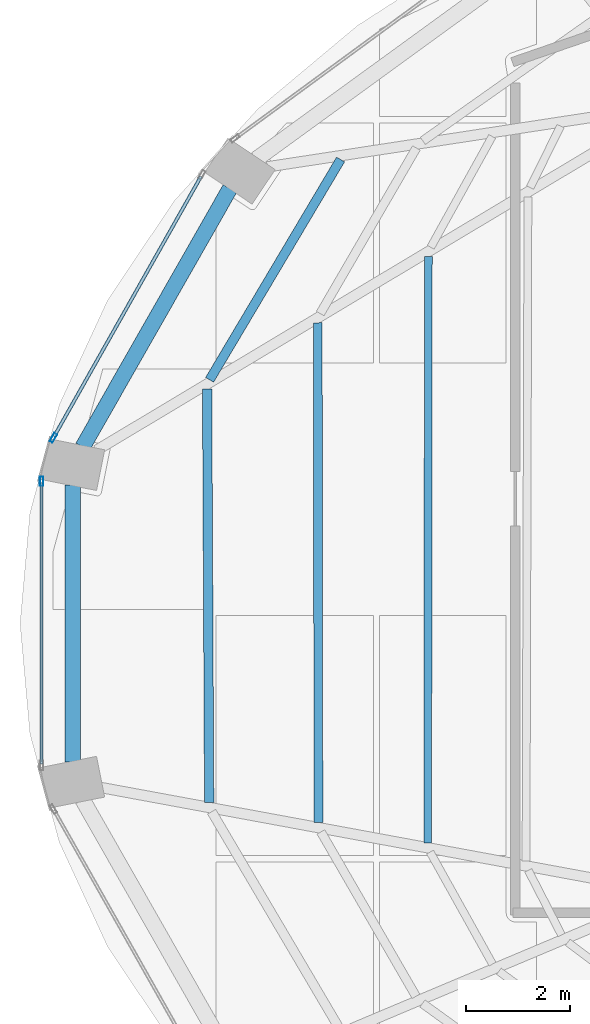
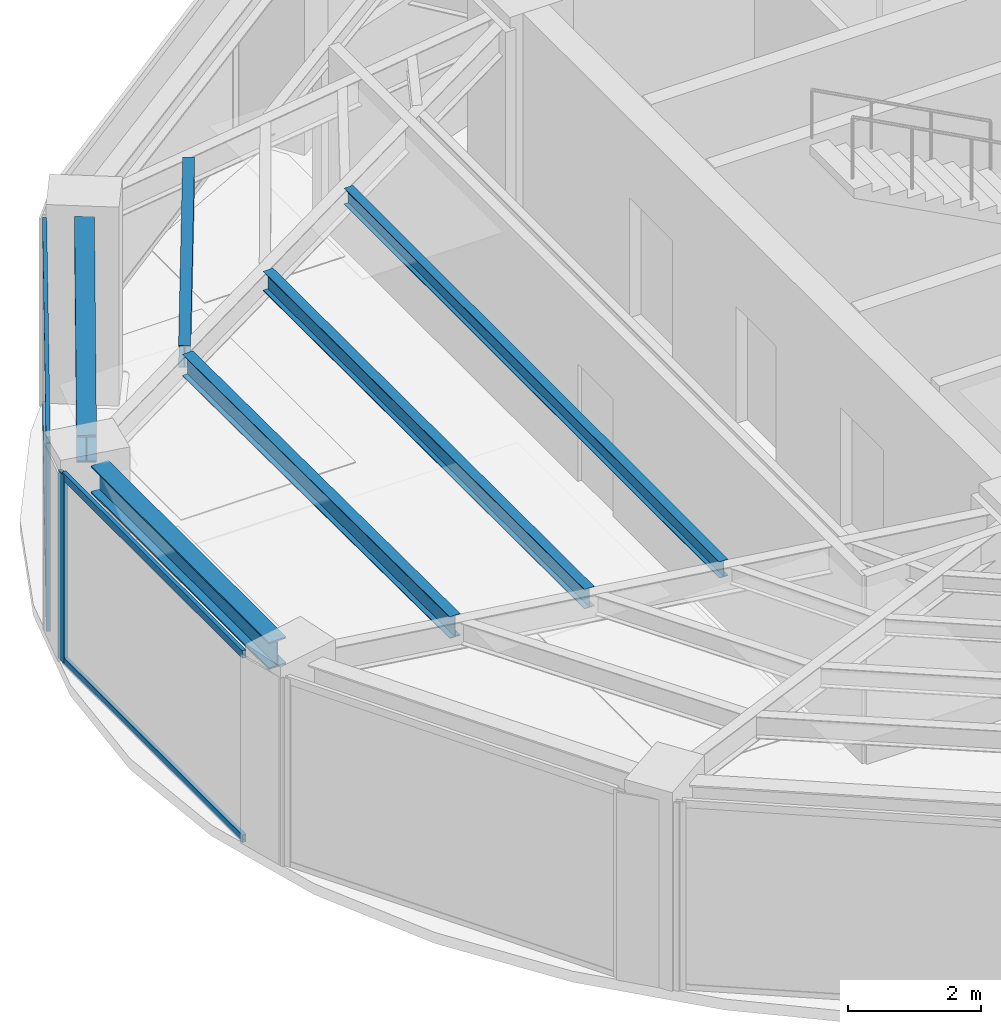
# One storey, part 8 of 22: 6 beams, 6 members, 2 elements without a shape of their own.
"""IFC4 building model written with IfcOpenShell, lengths in metres."""

from ifc_helpers import new_model, si_unit, direction, frame, origin, origin_2d, place, context, subcontext, project, spatial, hollow_rectangle, i_section, extrude, material, layer, layer_set, material_profile, profile_set, type_object, element, aggregate, save


model = new_model("IFC4")

# Units and contexts
model_context = context("Model", 3, precision=1e-05, world=origin(), true_north=direction((0.0, 1.0)))
body_context = subcontext(model_context, "Body", "Model", "MODEL_VIEW")
ifc_project = project(units=[si_unit("LENGTHUNIT", "METRE"), si_unit("AREAUNIT", "SQUARE_METRE"), si_unit("VOLUMEUNIT", "CUBIC_METRE"), si_unit("PLANEANGLEUNIT", "RADIAN"), si_unit("MASSUNIT", "GRAM", prefix="KILO")], contexts=[model_context])

# Site, building, storey
site_placement = place(None, origin())
site = spatial("IfcSite", under=ifc_project, at=site_placement, CompositionType="ELEMENT")
building_placement = place(site_placement, origin())
building = spatial("IfcBuilding", under=site, at=building_placement, Name="Lazwardi Medical Tower", CompositionType="ELEMENT")
storey_placement = place(building_placement, frame((0.0, 0.0, 258.672119140625)))
storey = spatial("IfcBuildingStorey", under=building, at=storey_placement, Name="L67", CompositionType="ELEMENT", Elevation=258.672119140625)

# Beams
ifc_material_1 = material(Name="Steel S355", Category="steel")
ifc_material_profile_1 = material_profile(ifc_material_1, i_section(OverallWidth=0.300048828125, OverallDepth=0.5, WebThickness=0.014404296875, FlangeThickness=0.028076171875, at=origin_2d()), Name="HEB 500")
ifc_profile_set_1 = profile_set([ifc_material_profile_1], Name="Steel S355")
beam_type_1 = type_object("IfcBeamType", Name="BM-RB-Z4", PredefinedType="BEAM", material=ifc_profile_set_1)
beam_1_placement = place(storey_placement, frame((17.84716796875, 33.983642578125, 3.197998046875), z_axis=(-0.495125273299, -0.868821594886, 0.0), x_axis=(0.868821594886, -0.495125273299, 0.0)))
element("IfcBeam", 1, at=beam_1_placement, inside=storey, type_object=beam_type_1, Name="Ring beam RB-05 B11 L67", PredefinedType="BEAM", context=body_context, shape_type="SweptSolid", body=[
    extrude(i_section(OverallWidth=0.300048828125, OverallDepth=0.5, WebThickness=0.014404296875, FlangeThickness=0.028076171875, at=origin_2d()), origin(), (0.0, 0.0, 1.0), 5.734130859375),
])
beam_2_placement = place(storey_placement, frame((14.81494140625, 28.27294921875, 3.197998046875), z_axis=(0.0, -1.0, 0.0), x_axis=(1.0, 0.0, 0.0)))
element("IfcBeam", 2, at=beam_2_placement, inside=storey, type_object=beam_type_1, Name="Ring beam RB-05 B12 L67", PredefinedType="BEAM", context=body_context, shape_type="SweptSolid", body=[
    extrude(i_section(OverallWidth=0.300048828125, OverallDepth=0.5, WebThickness=0.014404296875, FlangeThickness=0.028076171875, at=origin_2d()), origin(), (0.0, 0.0, 1.0), 5.345947265625),
])
ifc_material_profile_2 = material_profile(ifc_material_1, i_section(OverallWidth=0.179931640625, OverallDepth=0.39990234375, WebThickness=0.008544921875, FlangeThickness=0.013427734375, at=origin_2d()), Name="IPE 400")
ifc_profile_set_2 = profile_set([ifc_material_profile_2], Name="Steel S355")
beam_type_2 = type_object("IfcBeamType", Name="BM-SJ-01", PredefinedType="JOIST", material=ifc_profile_set_2)
beam_3_placement = place(storey_placement, frame((19.98095703125, 34.544921875, 3.247802734375), z_axis=(-0.510967866251, -0.859599813668, 0.0), x_axis=(0.859599813668, -0.510967866251, 0.0)))
element("IfcBeam", 3, at=beam_3_placement, inside=storey, type_object=beam_type_2, Name="Secondary joist SJ-01 R1 B11 L67", PredefinedType="JOIST", context=body_context, shape_type="SweptSolid", body=[
    extrude(i_section(OverallWidth=0.179931640625, OverallDepth=0.39990234375, WebThickness=0.008544921875, FlangeThickness=0.013427734375, at=origin_2d()), origin(), (0.0, 0.0, 1.0), 4.94189453125),
])
beam_4_placement = place(storey_placement, frame((17.407958984375, 30.120361328125, 3.247802734375), z_axis=(0.004929366644, -0.999987850598, 0.0), x_axis=(0.999987850598, 0.004929366644, 0.0)))
element("IfcBeam", 4, at=beam_4_placement, inside=storey, type_object=beam_type_2, Name="Secondary joist SJ-01 R1 B12 L67", PredefinedType="JOIST", context=body_context, shape_type="SweptSolid", body=[
    extrude(i_section(OverallWidth=0.179931640625, OverallDepth=0.39990234375, WebThickness=0.008544921875, FlangeThickness=0.013427734375, at=origin_2d()), origin(), (0.0, 0.0, 1.0), 7.973876953125),
])
ifc_material_profile_3 = material_profile(ifc_material_1, i_section(OverallWidth=0.169921875, OverallDepth=0.360107421875, WebThickness=0.008056640625, FlangeThickness=0.0126953125, at=origin_2d()), Name="IPE 360")
ifc_profile_set_3 = profile_set([ifc_material_profile_3], Name="Steel S355")
beam_type_3 = type_object("IfcBeamType", Name="BM-SJ-02", PredefinedType="JOIST", material=ifc_profile_set_3)
beam_5_placement = place(storey_placement, frame((19.541015625, 31.397705078125, 3.267822265625), z_axis=(0.001367606673, -0.999999064826, 0.0), x_axis=(0.999999064826, 0.001367606673, 0.0)))
element("IfcBeam", 5, at=beam_5_placement, inside=storey, type_object=beam_type_3, Name="Secondary joist SJ-02 R2 B12 L67", PredefinedType="JOIST", context=body_context, shape_type="SweptSolid", body=[
    extrude(i_section(OverallWidth=0.169921875, OverallDepth=0.360107421875, WebThickness=0.008056640625, FlangeThickness=0.0126953125, at=origin_2d()), origin(), (0.0, 0.0, 1.0), 9.639892578125),
])
ifc_material_profile_4 = material_profile(ifc_material_1, i_section(OverallWidth=0.14990234375, OverallDepth=0.300048828125, WebThickness=0.007080078125, FlangeThickness=0.0107421875, at=origin_2d()), Name="IPE 300")
ifc_profile_set_4 = profile_set([ifc_material_profile_4], Name="Steel S355")
beam_type_4 = type_object("IfcBeamType", Name="BM-SJ-03", PredefinedType="JOIST", material=ifc_profile_set_4)
beam_6_placement = place(storey_placement, frame((21.674072265625, 32.67529296875, 3.2978515625), z_axis=(-0.001166079235, -0.999999320129, 0.0), x_axis=(0.999999320129, -0.001166079235, 0.0)))
element("IfcBeam", 6, at=beam_6_placement, inside=storey, type_object=beam_type_4, Name="Secondary joist SJ-03 R3 B12 L67", PredefinedType="JOIST", context=body_context, shape_type="SweptSolid", body=[
    extrude(i_section(OverallWidth=0.14990234375, OverallDepth=0.300048828125, WebThickness=0.007080078125, FlangeThickness=0.0107421875, at=origin_2d()), origin(), (0.0, 0.0, 1.0), 11.305908203125),
])

# Curtain wall, member
ifc_material_2 = material(Name="Anodised bronze aluminium and solar control glazing", Category="aluminium")
ifc_layer = layer(ifc_material_2, 0.18994140625)
ifc_layer_set = layer_set([ifc_layer], Name="Anodised bronze aluminium and solar control glazing")
curtain_wall_type = type_object("IfcCurtainWallType", Name="CW-SYS-04", PredefinedType="NOTDEFINED", material=ifc_layer_set)
curtain_wall_1_placement = place(storey_placement, origin())
curtain_wall_1 = element("IfcCurtainWall", 7, at=curtain_wall_1_placement, inside=storey, type_object=curtain_wall_type, Name="L67 Unitised bronze curtain wall CW-04", PredefinedType="NOTDEFINED")
ifc_material_3 = material(Name="Anodised bronze aluminium", Category="aluminium")
ifc_material_profile_5 = material_profile(ifc_material_3, hollow_rectangle(XDim=0.06494140625, YDim=0.179931640625, WallThickness=0.00390625, at=origin_2d()), Name="ALU-MULLION 180x65x4")
ifc_profile_set_5 = profile_set([ifc_material_profile_5], Name="Anodised bronze aluminium")
member_type_1 = type_object("IfcMemberType", Name="CW-MUL-03", PredefinedType="MULLION", material=ifc_profile_set_5)
member_1_placement = place(storey_placement, frame((14.442626953125, 29.17822265625, 0.0), z_axis=(0.0, 0.0, 1.0), x_axis=(0.870651436011, -0.491900474661, 0.0)))
member_1 = element("IfcMember", 8, at=member_1_placement, type_object=member_type_1, Name="CW-04 mullion 2", PredefinedType="MULLION", context=body_context, shape_type="SweptSolid", body=[
    extrude(hollow_rectangle(XDim=0.06494140625, YDim=0.179931640625, WallThickness=0.00390625, at=origin_2d()), origin(), (0.0, 0.0, 1.0), 3.447998046875),
])

curtain_wall_2_placement = place(storey_placement, origin())
curtain_wall_2 = element("IfcCurtainWall", 9, at=curtain_wall_2_placement, inside=storey, type_object=curtain_wall_type, Name="L67 Unitised bronze curtain wall CW-04", PredefinedType="NOTDEFINED")
member_2_placement = place(storey_placement, frame((14.2158203125, 28.340576171875, 0.0), z_axis=(0.0, 0.0, 1.0), x_axis=(1.0, 0.0, 0.0)))
member_2 = element("IfcMember", 10, at=member_2_placement, type_object=member_type_1, Name="CW-04 mullion 1", PredefinedType="MULLION", context=body_context, shape_type="SweptSolid", body=[
    extrude(hollow_rectangle(XDim=0.06494140625, YDim=0.179931640625, WallThickness=0.00390625, at=origin_2d()), origin(), (0.0, 0.0, 1.0), 3.447998046875),
])

# Member
ifc_material_profile_6 = material_profile(ifc_material_3, hollow_rectangle(XDim=0.06494140625, YDim=0.139892578125, WallThickness=0.00341796875, at=origin_2d()), Name="ALU-TRANSOM 140x65x3.5")
ifc_profile_set_6 = profile_set([ifc_material_profile_6], Name="Anodised bronze aluminium")
member_type_2 = type_object("IfcMemberType", Name="CW-TRN-03", PredefinedType="USERDEFINED", material=ifc_profile_set_6)
member_3_placement = place(storey_placement, frame((17.28955078125, 34.21728515625, 0.032470703125), z_axis=(-0.491879719484, -0.87066316194, 0.0), x_axis=(0.87066316194, -0.491879719484, 0.0)))
member_3 = element("IfcMember", 11, at=member_3_placement, type_object=member_type_2, Name="CW-04 transom 1.1", ObjectType="TRANSOM", PredefinedType="USERDEFINED", context=body_context, shape_type="SweptSolid", body=[
    extrude(hollow_rectangle(XDim=0.06494140625, YDim=0.139892578125, WallThickness=0.00341796875, at=origin_2d()), origin(), (0.0, 0.0, 1.0), 5.755126953125),
])

member_4_placement = place(storey_placement, frame((17.28955078125, 34.21728515625, 3.415283203125), z_axis=(-0.491879719484, -0.87066316194, 0.0), x_axis=(0.87066316194, -0.491879719484, 0.0)))
member_4 = element("IfcMember", 12, at=member_4_placement, type_object=member_type_2, Name="CW-04 transom 1.2", ObjectType="TRANSOM", PredefinedType="USERDEFINED", context=body_context, shape_type="SweptSolid", body=[
    extrude(hollow_rectangle(XDim=0.06494140625, YDim=0.139892578125, WallThickness=0.00341796875, at=origin_2d()), origin(), (0.0, 0.0, 1.0), 5.755126953125),
])

aggregate(curtain_wall_1, [member_1, member_3, member_4])

member_5_placement = place(storey_placement, frame((14.2158203125, 28.30810546875, 0.032470703125), z_axis=(0.0, -1.0, 0.0), x_axis=(1.0, 0.0, 0.0)))
member_5 = element("IfcMember", 13, at=member_5_placement, type_object=member_type_2, Name="CW-04 transom 1.1", ObjectType="TRANSOM", PredefinedType="USERDEFINED", context=body_context, shape_type="SweptSolid", body=[
    extrude(hollow_rectangle(XDim=0.06494140625, YDim=0.139892578125, WallThickness=0.00341796875, at=origin_2d()), origin(), (0.0, 0.0, 1.0), 5.416015625),
])

member_6_placement = place(storey_placement, frame((14.2158203125, 28.30810546875, 3.415283203125), z_axis=(0.0, -1.0, 0.0), x_axis=(1.0, 0.0, 0.0)))
member_6 = element("IfcMember", 14, at=member_6_placement, type_object=member_type_2, Name="CW-04 transom 1.2", ObjectType="TRANSOM", PredefinedType="USERDEFINED", context=body_context, shape_type="SweptSolid", body=[
    extrude(hollow_rectangle(XDim=0.06494140625, YDim=0.139892578125, WallThickness=0.00341796875, at=origin_2d()), origin(), (0.0, 0.0, 1.0), 5.416015625),
])

aggregate(curtain_wall_2, [member_2, member_5, member_6])

save(model, "model.ifc")
